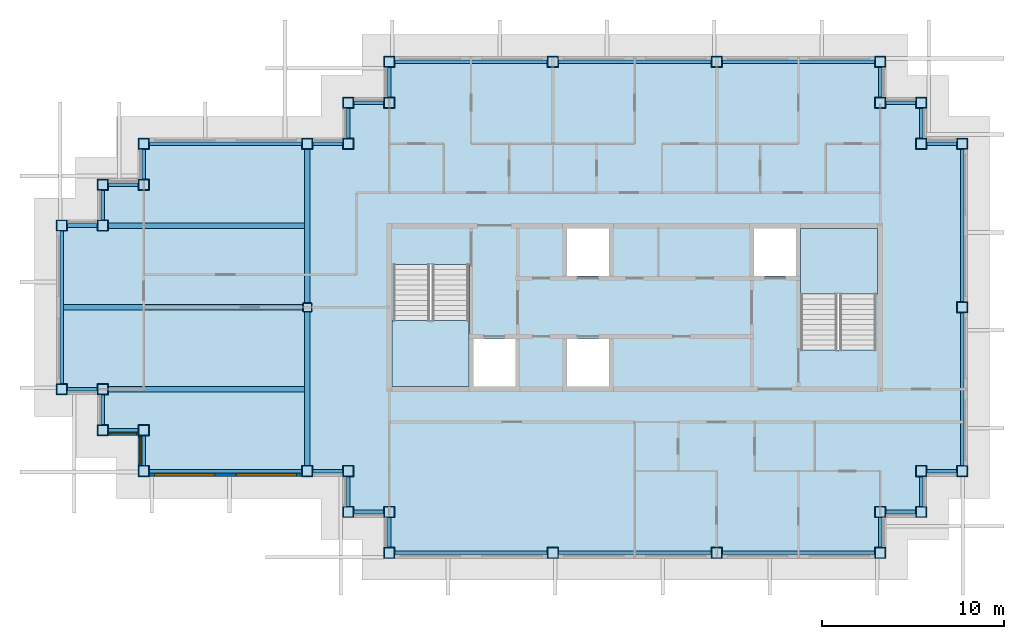
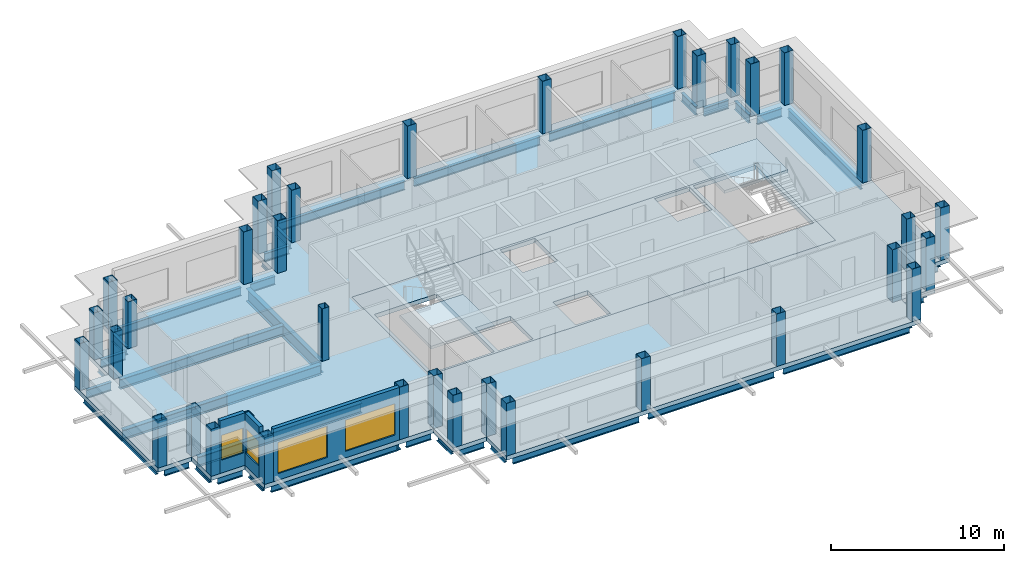
# One storey, part 1 of 11: 40 beams, 36 columns, 4 slabs, 4 windows, 3 walls, 4 openings, 2 elements without a shape of their own.
"""IFC4 building model written with IfcOpenShell, lengths in metres."""

from ifc_helpers import new_model, si_unit, direction, frame, frame_2d, origin, origin_2d, place, context, subcontext, project, spatial, polyline, rectangle, hollow_rectangle, i_section, outline, extrude, material, layer, layer_set, material_profile, profile_set, type_object, element, fill, aggregate, save


model = new_model("IFC4")

# Units and contexts
model_context = context("Model", 3, precision=1e-05, world=origin(), true_north=direction((0.0, 1.0)))
body_context = subcontext(model_context, "Body", "Model", "MODEL_VIEW")
ifc_project = project(units=[si_unit("LENGTHUNIT", "METRE"), si_unit("AREAUNIT", "SQUARE_METRE"), si_unit("VOLUMEUNIT", "CUBIC_METRE"), si_unit("PLANEANGLEUNIT", "RADIAN"), si_unit("MASSUNIT", "GRAM", prefix="KILO")], contexts=[model_context])

# Site, building, storey
site_placement = place(None, origin())
site = spatial("IfcSite", under=ifc_project, at=site_placement, CompositionType="ELEMENT")
building_placement = place(site_placement, origin())
building = spatial("IfcBuilding", under=site, at=building_placement, Name="Caravel Reach Hotel and Residences", CompositionType="ELEMENT")
storey_placement = place(building_placement, frame((0.0, 0.0, 274.89990234375)))
storey = spatial("IfcBuildingStorey", under=building, at=storey_placement, Name="L70", CompositionType="ELEMENT", Elevation=274.89990234375)

# Columns
ifc_material_1 = material(Name="Concrete-filled steel tube Q390B with Concrete C60 infill", Category="concrete")
ifc_material_profile_1 = material_profile(ifc_material_1, hollow_rectangle(XDim=0.5, YDim=0.5, WallThickness=0.01611328125, InnerFilletRadius=0.031982421875, OuterFilletRadius=0.048095703125, at=origin_2d()), Name="RHS 500x500x16")
ifc_profile_set_1 = profile_set([ifc_material_profile_1], Name="Concrete-filled steel tube Q390B with Concrete C60 infill")
column_type_1 = type_object("IfcColumnType", Name="CFT 500x500 Q390B C60", PredefinedType="COLUMN", material=ifc_profile_set_1)
column_1_placement = place(storey_placement, frame((13.5, 27.0, 0.0), z_axis=(0.0, 0.0, 1.0), x_axis=(1.0, 0.0, 0.0)))
element("IfcColumn", 1, at=column_1_placement, inside=storey, type_object=column_type_1, Name="C9 column", PredefinedType="COLUMN", context=body_context, shape_type="SweptSolid", body=[
    extrude(hollow_rectangle(XDim=0.5, YDim=0.5, WallThickness=0.01611328125, InnerFilletRadius=0.031982421875, OuterFilletRadius=0.048095703125, at=origin_2d()), origin(), (0.0, 0.0, 1.0), 3.7001953125),
])
ifc_material_2 = material(Name="Concrete-filled steel tube Q390B with Concrete C60 infill", Category="concrete")
ifc_material_profile_2 = material_profile(ifc_material_2, hollow_rectangle(XDim=0.60009765625, YDim=0.60009765625, WallThickness=0.02001953125, at=origin_2d()), Name="RHS 600x600x20")
ifc_profile_set_2 = profile_set([ifc_material_profile_2], Name="Concrete-filled steel tube Q390B with Concrete C60 infill")
column_type_2 = type_object("IfcColumnType", Name="CFT 600x600 Q390B C60", PredefinedType="COLUMN", material=ifc_profile_set_2)
for number, where, z_axis, x_axis, name in (
    (2, (15.75, 18.0, 0.0), (0.0, 0.0, 1.0), (1.0, 0.0, 0.0), "C8 column"),
    (3, (15.75, 15.75, 0.0), (0.0, 0.0, 1.0), (1.0, 0.0, 0.0), "C8 column"),
    (4, (18.0, 15.75, 0.0), (0.0, 0.0, 1.0), (1.0, 0.0, 0.0), "C8 column"),
    (5, (18.0, 13.5, 0.0), (0.0, 0.0, 1.0), (1.0, 0.0, 0.0), "C8 column"),
    (6, (27.0, 13.5, 0.0), (0.0, 0.0, 1.0), (1.0, 0.0, 0.0), "C8 column"),
    (7, (36.0, 13.5, 0.0), (0.0, 0.0, 1.0), (1.0, 0.0, 0.0), "C8 column"),
    (8, (45.0, 13.5, 0.0), (0.0, 0.0, 1.0), (1.0, 0.0, 0.0), "C8 column"),
    (9, (45.0, 15.75, 0.0), (0.0, 0.0, 1.0), (1.0, 0.0, 0.0), "C8 column"),
    (10, (47.25, 15.75, 0.0), (0.0, 0.0, 1.0), (1.0, 0.0, 0.0), "C8 column"),
    (11, (47.25, 18.0, 0.0), (0.0, 0.0, 1.0), (1.0, 0.0, 0.0), "C8 column"),
    (12, (49.5, 18.0, 0.0), (0.0, 0.0, 1.0), (1.0, 0.0, 0.0), "C8 column"),
    (13, (49.5, 27.0, 0.0), (0.0, 0.0, 1.0), (1.0, 0.0, 0.0), "C8 column"),
    (14, (49.5, 36.0, 0.0), (0.0, 0.0, 1.0), (1.0, 0.0, 0.0), "C8 column"),
    (15, (47.25, 36.0, 0.0), (0.0, 0.0, 1.0), (1.0, 0.0, 0.0), "C8 column"),
    (16, (47.25, 38.25, 0.0), (0.0, 0.0, 1.0), (1.0, 0.0, 0.0), "C8 column"),
    (17, (45.0, 38.25, 0.0), (0.0, 0.0, 1.0), (1.0, 0.0, 0.0), "C8 column"),
    (18, (45.0, 40.5, 0.0), (0.0, 0.0, 1.0), (1.0, 0.0, 0.0), "C8 column"),
    (19, (36.0, 40.5, 0.0), (0.0, 0.0, 1.0), (1.0, 0.0, 0.0), "C8 column"),
    (20, (27.0, 40.5, 0.0), (0.0, 0.0, 1.0), (1.0, 0.0, 0.0), "C8 column"),
    (21, (18.0, 40.5, 0.0), (0.0, 0.0, 1.0), (1.0, 0.0, 0.0), "C8 column"),
    (22, (18.0, 38.25, 0.0), (0.0, 0.0, 1.0), (1.0, 0.0, 0.0), "C8 column"),
    (23, (15.75, 38.25, 0.0), (0.0, 0.0, 1.0), (1.0, 0.0, 0.0), "C8 column"),
    (24, (15.75, 36.0, 0.0), (0.0, 0.0, 1.0), (1.0, 0.0, 0.0), "C8 column"),
    (25, (13.5, 36.0, 0.0), (0.0, 0.0, 1.0), (1.0, 0.0, 0.0), "C8 column"),
):
    element("IfcColumn", number, at=place(storey_placement, frame(where, z_axis=z_axis, x_axis=x_axis)), inside=storey, type_object=column_type_2, Name=name, PredefinedType="COLUMN", context=body_context, shape_type="SweptSolid", body=[
        extrude(hollow_rectangle(XDim=0.60009765625, YDim=0.60009765625, WallThickness=0.02001953125, at=origin_2d()), origin(), (0.0, 0.0, 1.0), 3.7001953125),
    ])
for number, where, z_axis, x_axis, name in (
    (26, (4.5, 36.0, 0.0), (0.0, 0.0, 1.0), (1.0, 0.0, 0.0), "C8 column"),
    (27, (4.5, 33.75, 0.0), (0.0, 0.0, 1.0), (1.0, 0.0, 0.0), "C8 column"),
    (28, (2.25, 33.75, 0.0), (0.0, 0.0, 1.0), (1.0, 0.0, 0.0), "C8 column"),
    (29, (2.25, 31.5, 0.0), (0.0, 0.0, 1.0), (1.0, 0.0, 0.0), "C8 column"),
    (30, (0.0, 31.5, 0.0), (0.0, 0.0, 1.0), (1.0, 0.0, 0.0), "C8 column"),
    (31, (0.0, 22.5, 0.0), (0.0, 0.0, 1.0), (1.0, 0.0, 0.0), "C8 column"),
    (32, (2.25, 22.5, 0.0), (0.0, 0.0, 1.0), (1.0, 0.0, 0.0), "C8 column"),
    (33, (2.25, 20.25, 0.0), (0.0, 0.0, 1.0), (1.0, 0.0, 0.0), "C8 column"),
    (34, (4.5, 20.25, 0.0), (0.0, 0.0, 1.0), (1.0, 0.0, 0.0), "C8 column"),
    (35, (4.5, 18.0, 0.0), (0.0, 0.0, 1.0), (1.0, 0.0, 0.0), "C8 column"),
):
    element("IfcColumn", number, at=place(storey_placement, frame(where, z_axis=z_axis, x_axis=x_axis)), inside=storey, type_object=column_type_2, Name=name, PredefinedType="COLUMN", context=body_context, shape_type="SweptSolid", body=[
        extrude(hollow_rectangle(XDim=0.60009765625, YDim=0.60009765625, WallThickness=0.02001953125, at=origin_2d()), origin(), (0.0, 0.0, 1.0), 3.300048828125),
    ])
column_2_placement = place(storey_placement, frame((13.5, 18.0, 0.0), z_axis=(0.0, 0.0, 1.0), x_axis=(1.0, 0.0, 0.0)))
element("IfcColumn", 36, at=column_2_placement, inside=storey, type_object=column_type_2, Name="C8 column", PredefinedType="COLUMN", context=body_context, shape_type="SweptSolid", body=[
    extrude(hollow_rectangle(XDim=0.60009765625, YDim=0.60009765625, WallThickness=0.02001953125, at=origin_2d()), origin(), (0.0, 0.0, 1.0), 3.7001953125),
])

# Beams
ifc_material_3 = material(Name="Structural steel Q355B", Category="steel")
ifc_material_profile_3 = material_profile(ifc_material_3, i_section(OverallWidth=0.300048828125, OverallDepth=0.699951171875, WebThickness=0.012939453125, FlangeThickness=0.02392578125, FilletRadius=0.01806640625, at=origin_2d()), Name="HN 700x300x13x24")
ifc_profile_set_3 = profile_set([ifc_material_profile_3], Name="Structural steel Q355B")
beam_type_1 = type_object("IfcBeamType", Name="Beam HN 700x300x13x24", PredefinedType="BEAM", material=ifc_profile_set_3)
beam_1_placement = place(storey_placement, frame((13.39990234375, 22.5, -0.64990234375), z_axis=(-1.0, 0.0, 0.0), x_axis=(0.0, -1.0, 0.0)))
element("IfcBeam", 37, at=beam_1_placement, inside=storey, type_object=beam_type_1, Name="B2 HN 700x300x13x24", PredefinedType="BEAM", context=body_context, shape_type="SweptSolid", body=[
    extrude(i_section(OverallWidth=0.300048828125, OverallDepth=0.699951171875, WebThickness=0.012939453125, FlangeThickness=0.02392578125, FilletRadius=0.01806640625, at=origin_2d()), origin(), (0.0, 0.0, 1.0), 10.89990234375),
])
beam_2_placement = place(storey_placement, frame((13.300048828125, 27.0, -0.64990234375), z_axis=(-1.0, 0.0, 0.0), x_axis=(0.0, -1.0, 0.0)))
element("IfcBeam", 38, at=beam_2_placement, inside=storey, type_object=beam_type_1, Name="B2 HN 700x300x13x24", PredefinedType="BEAM", context=body_context, shape_type="SweptSolid", body=[
    extrude(i_section(OverallWidth=0.300048828125, OverallDepth=0.699951171875, WebThickness=0.012939453125, FlangeThickness=0.02392578125, FilletRadius=0.01806640625, at=origin_2d()), origin(), (0.0, 0.0, 1.0), 13.199951171875),
])
beam_3_placement = place(storey_placement, frame((13.39990234375, 31.5, -0.64990234375), z_axis=(-1.0, 0.0, 0.0), x_axis=(0.0, -1.0, 0.0)))
element("IfcBeam", 39, at=beam_3_placement, inside=storey, type_object=beam_type_1, Name="B2 HN 700x300x13x24", PredefinedType="BEAM", context=body_context, shape_type="SweptSolid", body=[
    extrude(i_section(OverallWidth=0.300048828125, OverallDepth=0.699951171875, WebThickness=0.012939453125, FlangeThickness=0.02392578125, FilletRadius=0.01806640625, at=origin_2d()), origin(), (0.0, 0.0, 1.0), 10.89990234375),
])
ifc_material_4 = material(Name="Structural steel Q355B", Category="steel")
ifc_material_profile_4 = material_profile(ifc_material_4, i_section(OverallWidth=0.300048828125, OverallDepth=0.89990234375, WebThickness=0.01611328125, FlangeThickness=0.028076171875, FilletRadius=0.01806640625, at=origin_2d()), Name="HN 900x300x16x28")
ifc_profile_set_4 = profile_set([ifc_material_profile_4], Name="Structural steel Q355B")
beam_type_2 = type_object("IfcBeamType", Name="Beam HN 900x300x16x28", PredefinedType="BEAM", material=ifc_profile_set_4)
for number, where, z_axis, x_axis, name in (
    (40, (13.5, 18.300048828125, -0.75), (0.0, 1.0, 0.0), (-1.0, 0.0, 0.0), "B3 HN 900x300x16x28"),
    (41, (13.5, 27.25, -0.75), (0.0, 1.0, 0.0), (-1.0, 0.0, 0.0), "B3 HN 900x300x16x28"),
):
    element("IfcBeam", number, at=place(storey_placement, frame(where, z_axis=z_axis, x_axis=x_axis)), inside=storey, type_object=beam_type_2, Name=name, PredefinedType="BEAM", context=body_context, shape_type="SweptSolid", body=[
        extrude(i_section(OverallWidth=0.300048828125, OverallDepth=0.89990234375, WebThickness=0.01611328125, FlangeThickness=0.028076171875, FilletRadius=0.01806640625, at=origin_2d()), origin(), (0.0, 0.0, 1.0), 8.449951171875),
    ])
ifc_material_5 = material(Name="Structural steel Q355B", Category="steel")
ifc_material_profile_5 = material_profile(ifc_material_5, i_section(OverallWidth=0.199951171875, OverallDepth=0.60009765625, WebThickness=0.010986328125, FlangeThickness=0.01708984375, FilletRadius=0.012939453125, at=origin_2d()), Name="HN 600x200x11x17")
ifc_profile_set_5 = profile_set([ifc_material_profile_5], Name="Structural steel Q355B")
beam_type_3 = type_object("IfcBeamType", Name="Spandrel beam HN 600x200x11x17", PredefinedType="SPANDREL", material=ifc_profile_set_5)
for number, where, z_axis, x_axis, name in (
    (42, (15.75, 17.699951171875, -0.599853515625), (0.0, -1.0, 0.0), (1.0, 0.0, 0.0), "SP1 HN 600x200x11x17"),
    (43, (16.050048828125, 15.75, -0.599853515625), (1.0, 0.0, 0.0), (0.0, 1.0, 0.0), "SP1 HN 600x200x11x17"),
    (44, (18.0, 15.449951171875, -0.599853515625), (0.0, -1.0, 0.0), (1.0, 0.0, 0.0), "SP1 HN 600x200x11x17"),
):
    element("IfcBeam", number, at=place(storey_placement, frame(where, z_axis=z_axis, x_axis=x_axis)), inside=storey, type_object=beam_type_3, Name=name, PredefinedType="SPANDREL", context=body_context, shape_type="SweptSolid", body=[
        extrude(i_section(OverallWidth=0.199951171875, OverallDepth=0.60009765625, WebThickness=0.010986328125, FlangeThickness=0.01708984375, FilletRadius=0.012939453125, at=origin_2d()), origin(), (0.0, 0.0, 1.0), 1.64990234375),
    ])
for number, where, z_axis, x_axis, name in (
    (45, (18.300048828125, 13.5, -0.599853515625), (1.0, 0.0, 0.0), (0.0, 1.0, 0.0), "SP1 HN 600x200x11x17"),
    (46, (27.300048828125, 13.5, -0.599853515625), (1.0, 0.0, 0.0), (0.0, 1.0, 0.0), "SP1 HN 600x200x11x17"),
    (47, (36.300048828125, 13.5, -0.599853515625), (1.0, 0.0, 0.0), (0.0, 1.0, 0.0), "SP1 HN 600x200x11x17"),
):
    element("IfcBeam", number, at=place(storey_placement, frame(where, z_axis=z_axis, x_axis=x_axis)), inside=storey, type_object=beam_type_3, Name=name, PredefinedType="SPANDREL", context=body_context, shape_type="SweptSolid", body=[
        extrude(i_section(OverallWidth=0.199951171875, OverallDepth=0.60009765625, WebThickness=0.010986328125, FlangeThickness=0.01708984375, FilletRadius=0.012939453125, at=origin_2d()), origin(), (0.0, 0.0, 1.0), 8.39990234375),
    ])
for number, where, z_axis, x_axis, name in (
    (48, (45.0, 13.800048828125, -0.599853515625), (0.0, 1.0, 0.0), (-1.0, 0.0, 0.0), "SP1 HN 600x200x11x17"),
    (49, (45.300048828125, 15.75, -0.599853515625), (1.0, 0.0, 0.0), (0.0, 1.0, 0.0), "SP1 HN 600x200x11x17"),
    (50, (47.25, 16.050048828125, -0.599853515625), (0.0, 1.0, 0.0), (-1.0, 0.0, 0.0), "SP1 HN 600x200x11x17"),
    (51, (47.550048828125, 18.0, -0.599853515625), (1.0, 0.0, 0.0), (0.0, 1.0, 0.0), "SP1 HN 600x200x11x17"),
):
    element("IfcBeam", number, at=place(storey_placement, frame(where, z_axis=z_axis, x_axis=x_axis)), inside=storey, type_object=beam_type_3, Name=name, PredefinedType="SPANDREL", context=body_context, shape_type="SweptSolid", body=[
        extrude(i_section(OverallWidth=0.199951171875, OverallDepth=0.60009765625, WebThickness=0.010986328125, FlangeThickness=0.01708984375, FilletRadius=0.012939453125, at=origin_2d()), origin(), (0.0, 0.0, 1.0), 1.64990234375),
    ])
for number, where, z_axis, x_axis, name in (
    (52, (49.5, 18.300048828125, -0.599853515625), (0.0, 1.0, 0.0), (-1.0, 0.0, 0.0), "SP1 HN 600x200x11x17"),
    (53, (49.5, 27.300048828125, -0.599853515625), (0.0, 1.0, 0.0), (-1.0, 0.0, 0.0), "SP1 HN 600x200x11x17"),
):
    element("IfcBeam", number, at=place(storey_placement, frame(where, z_axis=z_axis, x_axis=x_axis)), inside=storey, type_object=beam_type_3, Name=name, PredefinedType="SPANDREL", context=body_context, shape_type="SweptSolid", body=[
        extrude(i_section(OverallWidth=0.199951171875, OverallDepth=0.60009765625, WebThickness=0.010986328125, FlangeThickness=0.01708984375, FilletRadius=0.012939453125, at=origin_2d()), origin(), (0.0, 0.0, 1.0), 8.39990234375),
    ])
for number, where, z_axis, x_axis, name in (
    (54, (49.199951171875, 36.0, -0.599853515625), (-1.0, 0.0, 0.0), (0.0, -1.0, 0.0), "SP1 HN 600x200x11x17"),
    (55, (47.25, 36.300048828125, -0.599853515625), (0.0, 1.0, 0.0), (-1.0, 0.0, 0.0), "SP1 HN 600x200x11x17"),
    (56, (46.949951171875, 38.25, -0.599853515625), (-1.0, 0.0, 0.0), (0.0, -1.0, 0.0), "SP1 HN 600x200x11x17"),
    (57, (45.0, 38.550048828125, -0.599853515625), (0.0, 1.0, 0.0), (-1.0, 0.0, 0.0), "SP1 HN 600x200x11x17"),
):
    element("IfcBeam", number, at=place(storey_placement, frame(where, z_axis=z_axis, x_axis=x_axis)), inside=storey, type_object=beam_type_3, Name=name, PredefinedType="SPANDREL", context=body_context, shape_type="SweptSolid", body=[
        extrude(i_section(OverallWidth=0.199951171875, OverallDepth=0.60009765625, WebThickness=0.010986328125, FlangeThickness=0.01708984375, FilletRadius=0.012939453125, at=origin_2d()), origin(), (0.0, 0.0, 1.0), 1.64990234375),
    ])
for number, where, z_axis, x_axis, name in (
    (58, (44.699951171875, 40.5, -0.599853515625), (-1.0, 0.0, 0.0), (0.0, -1.0, 0.0), "SP1 HN 600x200x11x17"),
    (59, (35.699951171875, 40.5, -0.599853515625), (-1.0, 0.0, 0.0), (0.0, -1.0, 0.0), "SP1 HN 600x200x11x17"),
    (60, (26.699951171875, 40.5, -0.599853515625), (-1.0, 0.0, 0.0), (0.0, -1.0, 0.0), "SP1 HN 600x200x11x17"),
):
    element("IfcBeam", number, at=place(storey_placement, frame(where, z_axis=z_axis, x_axis=x_axis)), inside=storey, type_object=beam_type_3, Name=name, PredefinedType="SPANDREL", context=body_context, shape_type="SweptSolid", body=[
        extrude(i_section(OverallWidth=0.199951171875, OverallDepth=0.60009765625, WebThickness=0.010986328125, FlangeThickness=0.01708984375, FilletRadius=0.012939453125, at=origin_2d()), origin(), (0.0, 0.0, 1.0), 8.39990234375),
    ])
for number, where, z_axis, x_axis, name in (
    (61, (18.0, 40.199951171875, -0.599853515625), (0.0, -1.0, 0.0), (1.0, 0.0, 0.0), "SP1 HN 600x200x11x17"),
    (62, (17.699951171875, 38.25, -0.599853515625), (-1.0, 0.0, 0.0), (0.0, -1.0, 0.0), "SP1 HN 600x200x11x17"),
    (63, (15.75, 37.949951171875, -0.599853515625), (0.0, -1.0, 0.0), (1.0, 0.0, 0.0), "SP1 HN 600x200x11x17"),
    (64, (15.449951171875, 36.0, -0.599853515625), (-1.0, 0.0, 0.0), (0.0, -1.0, 0.0), "SP1 HN 600x200x11x17"),
):
    element("IfcBeam", number, at=place(storey_placement, frame(where, z_axis=z_axis, x_axis=x_axis)), inside=storey, type_object=beam_type_3, Name=name, PredefinedType="SPANDREL", context=body_context, shape_type="SweptSolid", body=[
        extrude(i_section(OverallWidth=0.199951171875, OverallDepth=0.60009765625, WebThickness=0.010986328125, FlangeThickness=0.01708984375, FilletRadius=0.012939453125, at=origin_2d()), origin(), (0.0, 0.0, 1.0), 1.64990234375),
    ])
beam_4_placement = place(storey_placement, frame((13.199951171875, 36.0, -0.599853515625), z_axis=(-1.0, 0.0, 0.0), x_axis=(0.0, -1.0, 0.0)))
element("IfcBeam", 65, at=beam_4_placement, inside=storey, type_object=beam_type_3, Name="SP1 HN 600x200x11x17", PredefinedType="SPANDREL", context=body_context, shape_type="SweptSolid", body=[
    extrude(i_section(OverallWidth=0.199951171875, OverallDepth=0.60009765625, WebThickness=0.010986328125, FlangeThickness=0.01708984375, FilletRadius=0.012939453125, at=origin_2d()), origin(), (0.0, 0.0, 1.0), 8.39990234375),
])
for number, where, z_axis, x_axis, name in (
    (66, (4.5, 35.699951171875, -0.599853515625), (0.0, -1.0, 0.0), (1.0, 0.0, 0.0), "SP1 HN 600x200x11x17"),
    (67, (4.199951171875, 33.75, -0.599853515625), (-1.0, 0.0, 0.0), (0.0, -1.0, 0.0), "SP1 HN 600x200x11x17"),
    (68, (2.25, 33.449951171875, -0.599853515625), (0.0, -1.0, 0.0), (1.0, 0.0, 0.0), "SP1 HN 600x200x11x17"),
    (69, (1.949951171875, 31.5, -0.599853515625), (-1.0, 0.0, 0.0), (0.0, -1.0, 0.0), "SP1 HN 600x200x11x17"),
):
    element("IfcBeam", number, at=place(storey_placement, frame(where, z_axis=z_axis, x_axis=x_axis)), inside=storey, type_object=beam_type_3, Name=name, PredefinedType="SPANDREL", context=body_context, shape_type="SweptSolid", body=[
        extrude(i_section(OverallWidth=0.199951171875, OverallDepth=0.60009765625, WebThickness=0.010986328125, FlangeThickness=0.01708984375, FilletRadius=0.012939453125, at=origin_2d()), origin(), (0.0, 0.0, 1.0), 1.64990234375),
    ])
beam_5_placement = place(storey_placement, frame((0.0, 31.199951171875, -0.599853515625), z_axis=(0.0, -1.0, 0.0), x_axis=(1.0, 0.0, 0.0)))
element("IfcBeam", 70, at=beam_5_placement, inside=storey, type_object=beam_type_3, Name="SP1 HN 600x200x11x17", PredefinedType="SPANDREL", context=body_context, shape_type="SweptSolid", body=[
    extrude(i_section(OverallWidth=0.199951171875, OverallDepth=0.60009765625, WebThickness=0.010986328125, FlangeThickness=0.01708984375, FilletRadius=0.012939453125, at=origin_2d()), origin(), (0.0, 0.0, 1.0), 8.39990234375),
])
for number, where, z_axis, x_axis, name in (
    (71, (0.300048828125, 22.5, -0.599853515625), (1.0, 0.0, 0.0), (0.0, 1.0, 0.0), "SP1 HN 600x200x11x17"),
    (72, (2.25, 22.199951171875, -0.599853515625), (0.0, -1.0, 0.0), (1.0, 0.0, 0.0), "SP1 HN 600x200x11x17"),
    (73, (2.550048828125, 20.25, -0.599853515625), (1.0, 0.0, 0.0), (0.0, 1.0, 0.0), "SP1 HN 600x200x11x17"),
    (74, (4.5, 19.949951171875, -0.599853515625), (0.0, -1.0, 0.0), (1.0, 0.0, 0.0), "SP1 HN 600x200x11x17"),
):
    element("IfcBeam", number, at=place(storey_placement, frame(where, z_axis=z_axis, x_axis=x_axis)), inside=storey, type_object=beam_type_3, Name=name, PredefinedType="SPANDREL", context=body_context, shape_type="SweptSolid", body=[
        extrude(i_section(OverallWidth=0.199951171875, OverallDepth=0.60009765625, WebThickness=0.010986328125, FlangeThickness=0.01708984375, FilletRadius=0.012939453125, at=origin_2d()), origin(), (0.0, 0.0, 1.0), 1.64990234375),
    ])
beam_6_placement = place(storey_placement, frame((4.800048828125, 18.0, -0.599853515625), z_axis=(1.0, 0.0, 0.0), x_axis=(0.0, 1.0, 0.0)))
element("IfcBeam", 75, at=beam_6_placement, inside=storey, type_object=beam_type_3, Name="SP1 HN 600x200x11x17", PredefinedType="SPANDREL", context=body_context, shape_type="SweptSolid", body=[
    extrude(i_section(OverallWidth=0.199951171875, OverallDepth=0.60009765625, WebThickness=0.010986328125, FlangeThickness=0.01708984375, FilletRadius=0.012939453125, at=origin_2d()), origin(), (0.0, 0.0, 1.0), 8.39990234375),
])
beam_7_placement = place(storey_placement, frame((13.800048828125, 18.0, -0.599853515625), z_axis=(1.0, 0.0, 0.0), x_axis=(0.0, 1.0, 0.0)))
element("IfcBeam", 76, at=beam_7_placement, inside=storey, type_object=beam_type_3, Name="SP1 HN 600x200x11x17", PredefinedType="SPANDREL", context=body_context, shape_type="SweptSolid", body=[
    extrude(i_section(OverallWidth=0.199951171875, OverallDepth=0.60009765625, WebThickness=0.010986328125, FlangeThickness=0.01708984375, FilletRadius=0.012939453125, at=origin_2d()), origin(), (0.0, 0.0, 1.0), 1.64990234375),
])

# Slab
ifc_material_6 = material(Name="Concrete C40", Category="concrete")
ifc_layer_1 = layer(ifc_material_6, 0.300048828125)
ifc_layer_set_1 = layer_set([ifc_layer_1], Name="Core floor slab 300 mm")
slab_type_1 = type_object("IfcSlabType", Name="Core floor slab 300 mm", PredefinedType="FLOOR", material=ifc_layer_set_1)
slab_1_placement = place(storey_placement, frame((0.0, 0.0, -0.2998046875)))
element("IfcSlab", 77, at=slab_1_placement, inside=storey, type_object=slab_type_1, Name="L70 core floor", PredefinedType="FLOOR", context=body_context, shape_type="SweptSolid", body=[
    extrude(outline(polyline([(18.0, 31.5), (45.0, 31.5), (45.0, 22.5), (18.0, 22.5), (18.0, 31.5)]), holes=[polyline([(22.625, 22.64990234375), (24.9462890625, 22.64990234375), (24.9462890625, 25.27490234375), (22.625, 25.27490234375), (22.625, 22.64990234375)]), polyline([(27.767822265625, 25.27490234375), (27.767822265625, 22.64990234375), (30.08935546875, 22.64990234375), (30.08935546875, 25.27490234375), (27.767822265625, 25.27490234375)]), polyline([(22.375, 22.64990234375), (22.375, 29.35009765625), (18.22509765625, 29.35009765625), (18.22509765625, 22.64990234375), (22.375, 22.64990234375)]), polyline([(40.625, 24.64990234375), (44.77490234375, 24.64990234375), (44.77490234375, 31.35009765625), (40.625, 31.35009765625), (40.625, 24.64990234375)]), polyline([(27.767822265625, 31.35009765625), (27.767822265625, 28.72509765625), (30.08935546875, 28.72509765625), (30.08935546875, 31.35009765625), (27.767822265625, 31.35009765625)]), polyline([(38.0537109375, 31.35009765625), (38.0537109375, 28.72509765625), (40.375, 28.72509765625), (40.375, 31.35009765625), (38.0537109375, 31.35009765625)])]), origin(), (0.0, 0.0, 1.0), 0.2998046875),
])

# Stair, slab
ifc_material_7 = material(Name="Concrete C40", Category="concrete")
stair_type = type_object("IfcStairType", Name="Core stair", PredefinedType="HALF_TURN_STAIR", material=ifc_material_7)
stair_1_placement = place(storey_placement, origin())
stair_1 = element("IfcStair", 78, at=stair_1_placement, inside=storey, type_object=stair_type, Name="L70 Exit stair A", PredefinedType="HALF_TURN_STAIR")
ifc_material_8 = material(Name="Concrete C40", Category="concrete")
ifc_layer_2 = layer(ifc_material_8, 0.199951171875)
ifc_layer_set_2 = layer_set([ifc_layer_2], Name="Core stair landing")
slab_type_2 = type_object("IfcSlabType", Name="Core stair landing", PredefinedType="LANDING", material=ifc_layer_set_2)
slab_2_placement = place(storey_placement, frame((0.0, 0.0, 1.650146484375)))
slab_2 = element("IfcSlab", 79, at=slab_2_placement, type_object=slab_type_2, Name="ST-A landing 1", PredefinedType="LANDING", context=body_context, shape_type="SweptSolid", body=[
    extrude(outline(polyline([(18.14990234375, 26.27001953125), (18.14990234375, 22.64990234375), (22.375, 22.64990234375), (22.375, 26.27001953125), (18.14990234375, 26.27001953125)])), origin(), (0.0, 0.0, 1.0), 0.199951171875),
])
aggregate(stair_1, [slab_2])

stair_2_placement = place(storey_placement, origin())
stair_2 = element("IfcStair", 80, at=stair_2_placement, inside=storey, type_object=stair_type, Name="L70 Exit stair B", PredefinedType="HALF_TURN_STAIR")
slab_3_placement = place(storey_placement, frame((0.0, 0.0, 1.650146484375)))
slab_3 = element("IfcSlab", 81, at=slab_3_placement, type_object=slab_type_2, Name="ST-B landing 1", PredefinedType="LANDING", context=body_context, shape_type="SweptSolid", body=[
    extrude(outline(polyline([(44.85009765625, 27.72998046875), (44.85009765625, 31.35009765625), (40.625, 31.35009765625), (40.625, 27.72998046875), (44.85009765625, 27.72998046875)])), origin(), (0.0, 0.0, 1.0), 0.199951171875),
])
aggregate(stair_2, [slab_3])

# Slab
ifc_material_9 = material(Name="Concrete C40 post-tensioned", Category="concrete")
ifc_layer_3 = layer(ifc_material_9, 0.300048828125)
ifc_layer_set_3 = layer_set([ifc_layer_3], Name="Floor slab 300")
slab_type_3 = type_object("IfcSlabType", Name="Floor slab 300", PredefinedType="FLOOR", material=ifc_layer_set_3)
slab_4_placement = place(storey_placement, frame((0.0, 0.0, -0.2998046875)))
element("IfcSlab", 82, at=slab_4_placement, inside=storey, type_object=slab_type_3, Name="S2 slab L70", PredefinedType="FLOOR", context=body_context, shape_type="SweptSolid", body=[
    extrude(outline(polyline([(4.199951171875, 19.949951171875), (1.949951171875, 19.949951171875), (1.949951171875, 22.199951171875), (-0.300048828125, 22.199951171875), (-0.300048828125, 31.800048828125), (1.949951171875, 31.800048828125), (1.949951171875, 34.050048828125), (4.199951171875, 34.050048828125), (4.199951171875, 36.300048828125), (15.449951171875, 36.300048828125), (15.449951171875, 38.550048828125), (17.699951171875, 38.550048828125), (17.699951171875, 40.800048828125), (45.300048828125, 40.800048828125), (45.300048828125, 38.550048828125), (47.550048828125, 38.550048828125), (47.550048828125, 36.300048828125), (49.800048828125, 36.300048828125), (49.800048828125, 17.699951171875), (47.550048828125, 17.699951171875), (47.550048828125, 15.449951171875), (45.300048828125, 15.449951171875), (45.300048828125, 13.199951171875), (17.699951171875, 13.199951171875), (17.699951171875, 15.449951171875), (15.449951171875, 15.449951171875), (15.449951171875, 17.699951171875), (4.199951171875, 17.699951171875), (4.199951171875, 19.949951171875)]), holes=[polyline([(45.0, 31.5), (18.0, 31.5), (18.0, 22.5), (45.0, 22.5), (45.0, 31.5)])]), origin(), (0.0, 0.0, 1.0), 0.2998046875),
])

# Wall, opening, window
ifc_material_10 = material(Name="Insulated rainscreen wall, aluminium cladding", Category="aluminium")
ifc_layer_4 = layer(ifc_material_10, 0.25)
ifc_layer_set_4 = layer_set([ifc_layer_4], Name="EW1 Tower rainscreen wall")
wall_type = type_object("IfcWallType", Name="EW1 Tower rainscreen wall", PredefinedType="SOLIDWALL", material=ifc_layer_set_4)
wall_1_placement = place(storey_placement, frame((2.550048828125, 20.074951171875, 0.0), z_axis=(0.0, 0.0, 1.0), x_axis=(1.0, 0.0, 0.0)))
wall_1 = element("IfcWall", 83, at=wall_1_placement, inside=storey, type_object=wall_type, Name="External wall L70 S26.1", PredefinedType="SOLIDWALL", context=body_context, shape_type="SweptSolid", body=[
    extrude(rectangle(XDim=1.64990234375, YDim=0.25, at=frame_2d((0.824951171875, 0.0))), origin(), (0.0, 0.0, 1.0), 3.7001953125),
])
opening_1_placement = place(wall_1_placement, frame((0.10009765625, 0.0, 0.89990234375)))
opening_1 = element("IfcOpeningElement", 84, at=opening_1_placement, cuts=wall_1, Name="Opening WN26", PredefinedType="OPENING", context=body_context, shape_type="SweptSolid", body=[
    extrude(rectangle(XDim=1.449951171875, YDim=1.75, at=frame_2d((0.72509765625, 0.875))), frame((0.0, 0.135009765625, 0.0), z_axis=(0.0, -1.0, 0.0), x_axis=(1.0, 0.0, 0.0)), (0.0, 0.0, 1.0), 0.27001953125),
])
ifc_material_11 = material(Name="Dark low-e glazing in black aluminium frame", Category="aluminium")
window_type_1 = type_object("IfcWindowType", Name="Residence bedroom window 1450 x 1750", PartitioningType="SINGLE_PANEL", PredefinedType="WINDOW", material=ifc_material_11)
window_1_placement = place(opening_1_placement, origin())
window_1 = element("IfcWindow", 85, at=window_1_placement, inside=storey, type_object=window_type_1, Name="Window L70 S26.1.1", OverallHeight=1.75, OverallWidth=1.449951171875, PartitioningType="SINGLE_PANEL", PredefinedType="WINDOW", context=body_context, shape_type="SweptSolid", body=[
    extrude(rectangle(XDim=1.449951171875, YDim=1.75, at=frame_2d((0.72509765625, 0.875))), frame((0.0, 0.030029296875, 0.0), z_axis=(0.0, -1.0, 0.0), x_axis=(1.0, 0.0, 0.0)), (0.0, 0.0, 1.0), 0.06005859375),
])
fill(opening_1, window_1)

wall_2_placement = place(storey_placement, frame((4.324951171875, 19.949951171875, 0.0), z_axis=(0.0, 0.0, 1.0), x_axis=(0.0, -1.0, 0.0)))
wall_2 = element("IfcWall", 86, at=wall_2_placement, inside=storey, type_object=wall_type, Name="External wall L70 W27.1", PredefinedType="SOLIDWALL", context=body_context, shape_type="SweptSolid", body=[
    extrude(rectangle(XDim=1.64990234375, YDim=0.25, at=frame_2d((0.824951171875, 0.0))), origin(), (0.0, 0.0, 1.0), 3.7001953125),
])
opening_2_placement = place(wall_2_placement, frame((0.10009765625, 0.0, 0.89990234375)))
opening_2 = element("IfcOpeningElement", 87, at=opening_2_placement, cuts=wall_2, Name="Opening WN26", PredefinedType="OPENING", context=body_context, shape_type="SweptSolid", body=[
    extrude(rectangle(XDim=1.449951171875, YDim=1.75, at=frame_2d((0.72509765625, 0.875))), frame((0.0, 0.135009765625, 0.0), z_axis=(0.0, -1.0, 0.0), x_axis=(1.0, 0.0, 0.0)), (0.0, 0.0, 1.0), 0.27001953125),
])
window_2_placement = place(opening_2_placement, origin())
window_2 = element("IfcWindow", 88, at=window_2_placement, inside=storey, type_object=window_type_1, Name="Window L70 W27.1.1", OverallHeight=1.75, OverallWidth=1.449951171875, PartitioningType="SINGLE_PANEL", PredefinedType="WINDOW", context=body_context, shape_type="SweptSolid", body=[
    extrude(rectangle(XDim=1.449951171875, YDim=1.75, at=frame_2d((0.72509765625, 0.875))), frame((0.0, 0.030029296875, 0.0), z_axis=(0.0, -1.0, 0.0), x_axis=(1.0, 0.0, 0.0)), (0.0, 0.0, 1.0), 0.06005859375),
])
fill(opening_2, window_2)

# Wall, openings, windows
wall_3_placement = place(storey_placement, frame((4.800048828125, 17.824951171875, 0.0), z_axis=(0.0, 0.0, 1.0), x_axis=(1.0, 0.0, 0.0)))
wall_3 = element("IfcWall", 89, at=wall_3_placement, inside=storey, type_object=wall_type, Name="External wall L70 S28.1", PredefinedType="SOLIDWALL", context=body_context, shape_type="SweptSolid", body=[
    extrude(rectangle(XDim=8.39990234375, YDim=0.25, at=frame_2d((4.199951171875, 0.0))), origin(), (0.0, 0.0, 1.0), 3.7001953125),
])
opening_3_placement = place(wall_3_placement, frame((0.300048828125, 0.0, 0.449951171875)))
opening_3 = element("IfcOpeningElement", 90, at=opening_3_placement, cuts=wall_3, Name="Opening WN19", PredefinedType="OPENING", context=body_context, shape_type="SweptSolid", body=[
    extrude(rectangle(XDim=3.300048828125, YDim=2.199951171875, at=frame_2d((1.64990234375, 1.10009765625))), frame((0.0, 0.135009765625, 0.0), z_axis=(0.0, -1.0, 0.0), x_axis=(1.0, 0.0, 0.0)), (0.0, 0.0, 1.0), 0.27001953125),
])
opening_4_placement = place(wall_3_placement, frame((4.800048828125, 0.0, 0.449951171875)))
opening_4 = element("IfcOpeningElement", 91, at=opening_4_placement, cuts=wall_3, Name="Opening WN19", PredefinedType="OPENING", context=body_context, shape_type="SweptSolid", body=[
    extrude(rectangle(XDim=3.300048828125, YDim=2.199951171875, at=frame_2d((1.64990234375, 1.10009765625))), frame((0.0, 0.135009765625, 0.0), z_axis=(0.0, -1.0, 0.0), x_axis=(1.0, 0.0, 0.0)), (0.0, 0.0, 1.0), 0.27001953125),
])
ifc_material_12 = material(Name="Dark low-e glazing in black aluminium frame", Category="aluminium")
window_type_2 = type_object("IfcWindowType", Name="Residence living window 3300 x 2200", PartitioningType="SINGLE_PANEL", PredefinedType="WINDOW", material=ifc_material_12)
window_3_placement = place(opening_3_placement, origin())
window_3 = element("IfcWindow", 92, at=window_3_placement, inside=storey, type_object=window_type_2, Name="Window L70 S28.1.1", OverallHeight=2.199951171875, OverallWidth=3.300048828125, PartitioningType="SINGLE_PANEL", PredefinedType="WINDOW", context=body_context, shape_type="SweptSolid", body=[
    extrude(rectangle(XDim=3.300048828125, YDim=2.199951171875, at=frame_2d((1.64990234375, 1.10009765625))), frame((0.0, 0.030029296875, 0.0), z_axis=(0.0, -1.0, 0.0), x_axis=(1.0, 0.0, 0.0)), (0.0, 0.0, 1.0), 0.06005859375),
])
fill(opening_3, window_3)
window_4_placement = place(opening_4_placement, origin())
window_4 = element("IfcWindow", 93, at=window_4_placement, inside=storey, type_object=window_type_2, Name="Window L70 S28.1.2", OverallHeight=2.199951171875, OverallWidth=3.300048828125, PartitioningType="SINGLE_PANEL", PredefinedType="WINDOW", context=body_context, shape_type="SweptSolid", body=[
    extrude(rectangle(XDim=3.300048828125, YDim=2.199951171875, at=frame_2d((1.64990234375, 1.10009765625))), frame((0.0, 0.030029296875, 0.0), z_axis=(0.0, -1.0, 0.0), x_axis=(1.0, 0.0, 0.0)), (0.0, 0.0, 1.0), 0.06005859375),
])
fill(opening_4, window_4)

save(model, "model.ifc")
